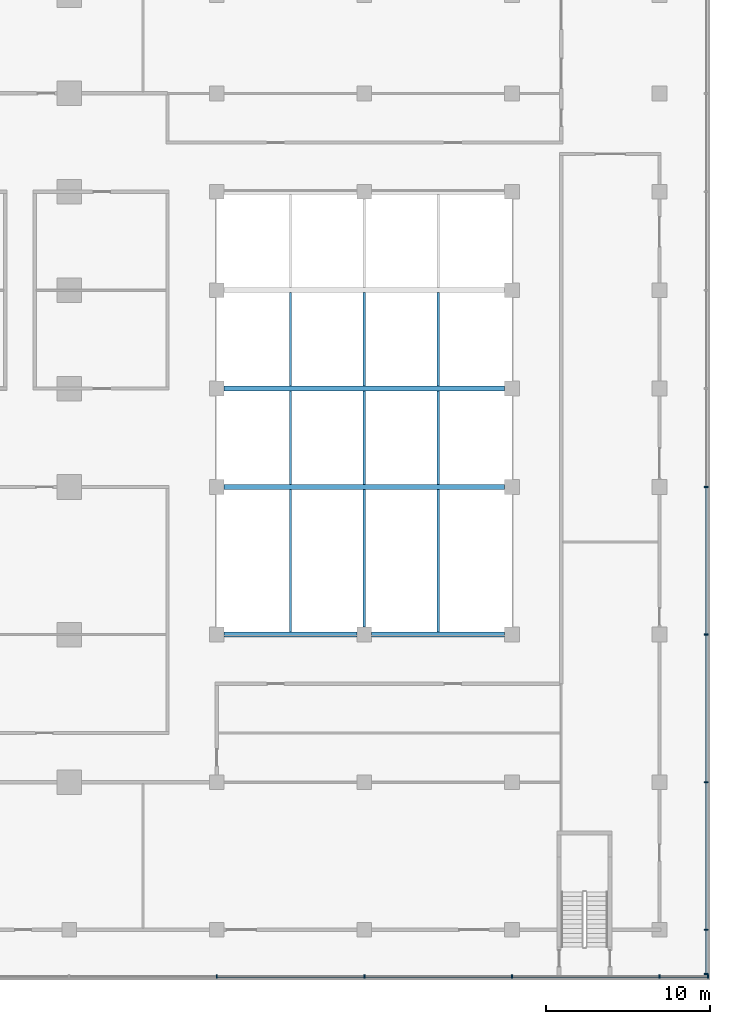
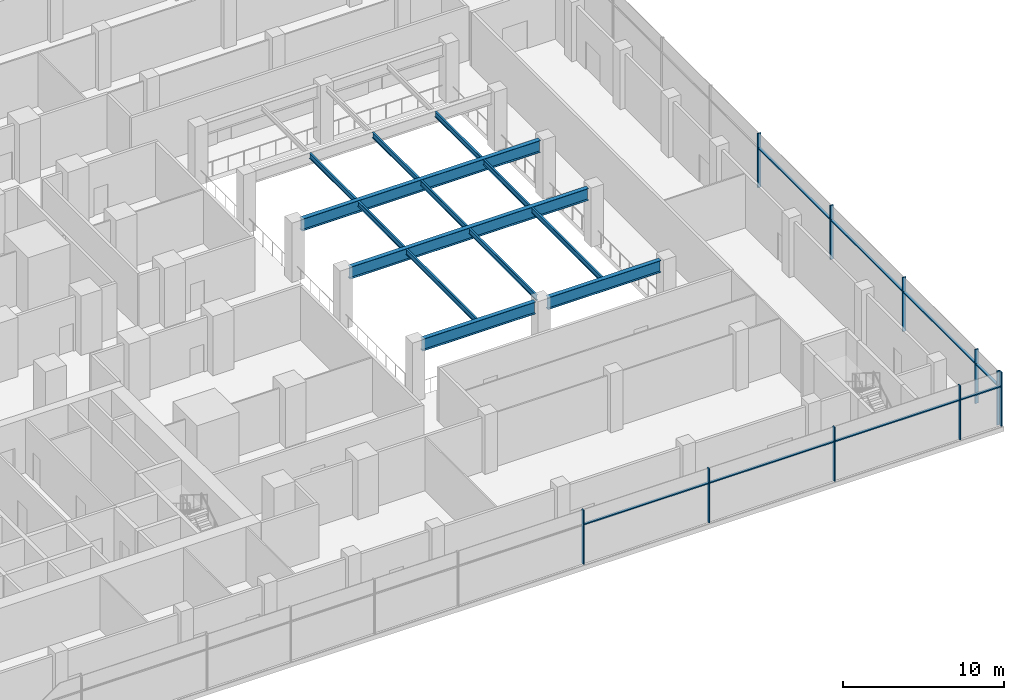
# One storey, part 5 of 22: 18 members, 13 beams, 2 elements without a shape of their own.
"""IFC4 building model written with IfcOpenShell, lengths in metres."""

from ifc_helpers import new_model, si_unit, direction, frame, origin, origin_2d, place, context, subcontext, project, spatial, rectangle, i_section, extrude, material, material_profile, profile_set, type_object, element, aggregate, save


model = new_model("IFC4")

# Units and contexts
model_context = context("Model", 3, precision=1e-05, world=origin(), true_north=direction((0.0, 1.0)))
body_context = subcontext(model_context, "Body", "Model", "MODEL_VIEW")
ifc_project = project(units=[si_unit("LENGTHUNIT", "METRE"), si_unit("AREAUNIT", "SQUARE_METRE"), si_unit("VOLUMEUNIT", "CUBIC_METRE"), si_unit("PLANEANGLEUNIT", "RADIAN"), si_unit("MASSUNIT", "GRAM", prefix="KILO")], contexts=[model_context])

# Site, building, storey
site_placement = place(None, origin())
site = spatial("IfcSite", under=ifc_project, at=site_placement, CompositionType="ELEMENT")
building_placement = place(site_placement, origin())
building = spatial("IfcBuilding", under=site, at=building_placement, Name="Finial Court Residences", CompositionType="ELEMENT")
storey_placement = place(building_placement, frame((0.0, 0.0, 28.0)))
storey = spatial("IfcBuildingStorey", under=building, at=storey_placement, Name="L05", CompositionType="ELEMENT", Elevation=28.0)

# Beams
ifc_material_1 = material(Name="Steel ASTM A992 Gr 50", Category="steel")
ifc_material_profile_1 = material_profile(ifc_material_1, i_section(OverallWidth=0.303955078125, OverallDepth=0.910888671875, WebThickness=0.015869140625, FlangeThickness=0.02392578125, at=origin_2d()), Name="W36x150")
ifc_profile_set_1 = profile_set([ifc_material_profile_1], Name="Steel ASTM A992 Gr 50")
beam_type_1 = type_object("IfcBeamType", Name="Atrium roof girder W36x150", PredefinedType="BEAM", material=ifc_profile_set_1)
for number, where, z_axis, x_axis, name in (
    (1, (31.949951171875, -13.5, 3.844482421875), (1.0, 0.0, 0.0), (0.0, 1.0, 0.0), "S:ATG:-13.5:1"),
    (2, (40.949951171875, -13.5, 3.844482421875), (1.0, 0.0, 0.0), (0.0, 1.0, 0.0), "S:ATG:-13.5:2"),
):
    element("IfcBeam", number, at=place(storey_placement, frame(where, z_axis=z_axis, x_axis=x_axis)), inside=storey, type_object=beam_type_1, Name=name, PredefinedType="BEAM", context=body_context, shape_type="SweptSolid", body=[
        extrude(i_section(OverallWidth=0.303955078125, OverallDepth=0.910888671875, WebThickness=0.015869140625, FlangeThickness=0.02392578125, at=origin_2d()), origin(), (0.0, 0.0, 1.0), 8.10009765625),
    ])
for number, where, z_axis, x_axis, name in (
    (3, (31.949951171875, -4.5, 3.844482421875), (1.0, 0.0, 0.0), (0.0, 1.0, 0.0), "S:ATG:-4.5:1"),
    (4, (31.949951171875, 1.5, 3.844482421875), (1.0, 0.0, 0.0), (0.0, 1.0, 0.0), "S:ATG:+1.5:1"),
):
    element("IfcBeam", number, at=place(storey_placement, frame(where, z_axis=z_axis, x_axis=x_axis)), inside=storey, type_object=beam_type_1, Name=name, PredefinedType="BEAM", context=body_context, shape_type="SweptSolid", body=[
        extrude(i_section(OverallWidth=0.303955078125, OverallDepth=0.910888671875, WebThickness=0.015869140625, FlangeThickness=0.02392578125, at=origin_2d()), origin(), (0.0, 0.0, 1.0), 17.10009765625),
    ])
ifc_material_profile_2 = material_profile(ifc_material_1, i_section(OverallWidth=0.139892578125, OverallDepth=0.403076171875, WebThickness=0.007080078125, FlangeThickness=0.01123046875, at=origin_2d()), Name="W16x31")
ifc_profile_set_2 = profile_set([ifc_material_profile_2], Name="Steel ASTM A992 Gr 50")
beam_type_2 = type_object("IfcBeamType", Name="Atrium roof joist W16x31", PredefinedType="JOIST", material=ifc_profile_set_2)
beam_1_placement = place(storey_placement, frame((36.0, -13.347900390625, 4.098388671875), z_axis=(0.0, 1.0, 0.0), x_axis=(-1.0, 0.0, 0.0)))
element("IfcBeam", 5, at=beam_1_placement, inside=storey, type_object=beam_type_2, Name="S:ATJ:+36.00:-13.5", PredefinedType="JOIST", context=body_context, shape_type="SweptSolid", body=[
    extrude(i_section(OverallWidth=0.139892578125, OverallDepth=0.403076171875, WebThickness=0.007080078125, FlangeThickness=0.01123046875, at=origin_2d()), origin(), (0.0, 0.0, 1.0), 8.69580078125),
])
for number, where, z_axis, x_axis, name in (
    (6, (36.0, -4.347900390625, 4.098388671875), (0.0, 1.0, 0.0), (-1.0, 0.0, 0.0), "S:ATJ:+36.00:-4.5"),
    (7, (36.0, 1.652099609375, 4.098388671875), (0.0, 1.0, 0.0), (-1.0, 0.0, 0.0), "S:ATJ:+36.00:+1.5"),
):
    element("IfcBeam", number, at=place(storey_placement, frame(where, z_axis=z_axis, x_axis=x_axis)), inside=storey, type_object=beam_type_2, Name=name, PredefinedType="JOIST", context=body_context, shape_type="SweptSolid", body=[
        extrude(i_section(OverallWidth=0.139892578125, OverallDepth=0.403076171875, WebThickness=0.007080078125, FlangeThickness=0.01123046875, at=origin_2d()), origin(), (0.0, 0.0, 1.0), 5.69580078125),
    ])
beam_2_placement = place(storey_placement, frame((40.5, -13.050048828125, 4.098388671875), z_axis=(0.0, 1.0, 0.0), x_axis=(-1.0, 0.0, 0.0)))
element("IfcBeam", 8, at=beam_2_placement, inside=storey, type_object=beam_type_2, Name="S:ATJ:+40.50:-13.5", PredefinedType="JOIST", context=body_context, shape_type="SweptSolid", body=[
    extrude(i_section(OverallWidth=0.139892578125, OverallDepth=0.403076171875, WebThickness=0.007080078125, FlangeThickness=0.01123046875, at=origin_2d()), origin(), (0.0, 0.0, 1.0), 8.39794921875),
])
for number, where, z_axis, x_axis, name in (
    (9, (40.5, -4.347900390625, 4.098388671875), (0.0, 1.0, 0.0), (-1.0, 0.0, 0.0), "S:ATJ:+40.50:-4.5"),
    (10, (40.5, 1.652099609375, 4.098388671875), (0.0, 1.0, 0.0), (-1.0, 0.0, 0.0), "S:ATJ:+40.50:+1.5"),
):
    element("IfcBeam", number, at=place(storey_placement, frame(where, z_axis=z_axis, x_axis=x_axis)), inside=storey, type_object=beam_type_2, Name=name, PredefinedType="JOIST", context=body_context, shape_type="SweptSolid", body=[
        extrude(i_section(OverallWidth=0.139892578125, OverallDepth=0.403076171875, WebThickness=0.007080078125, FlangeThickness=0.01123046875, at=origin_2d()), origin(), (0.0, 0.0, 1.0), 5.69580078125),
    ])
beam_3_placement = place(storey_placement, frame((45.0, -13.347900390625, 4.098388671875), z_axis=(0.0, 1.0, 0.0), x_axis=(-1.0, 0.0, 0.0)))
element("IfcBeam", 11, at=beam_3_placement, inside=storey, type_object=beam_type_2, Name="S:ATJ:+45.00:-13.5", PredefinedType="JOIST", context=body_context, shape_type="SweptSolid", body=[
    extrude(i_section(OverallWidth=0.139892578125, OverallDepth=0.403076171875, WebThickness=0.007080078125, FlangeThickness=0.01123046875, at=origin_2d()), origin(), (0.0, 0.0, 1.0), 8.69580078125),
])
for number, where, z_axis, x_axis, name in (
    (12, (45.0, -4.347900390625, 4.098388671875), (0.0, 1.0, 0.0), (-1.0, 0.0, 0.0), "S:ATJ:+45.00:-4.5"),
    (13, (45.0, 1.652099609375, 4.098388671875), (0.0, 1.0, 0.0), (-1.0, 0.0, 0.0), "S:ATJ:+45.00:+1.5"),
):
    element("IfcBeam", number, at=place(storey_placement, frame(where, z_axis=z_axis, x_axis=x_axis)), inside=storey, type_object=beam_type_2, Name=name, PredefinedType="JOIST", context=body_context, shape_type="SweptSolid", body=[
        extrude(i_section(OverallWidth=0.139892578125, OverallDepth=0.403076171875, WebThickness=0.007080078125, FlangeThickness=0.01123046875, at=origin_2d()), origin(), (0.0, 0.0, 1.0), 5.69580078125),
    ])

# Curtain wall, members
ifc_material_2 = material(Name="Bronze anodised aluminium", Category="aluminium")
curtain_wall_type = type_object("IfcCurtainWallType", Name="Podium curtain wall", PredefinedType="NOTDEFINED", material=ifc_material_2)
curtain_wall_1_placement = place(storey_placement, origin())
curtain_wall_1 = element("IfcCurtainWall", 14, at=curtain_wall_1_placement, inside=storey, type_object=curtain_wall_type, Name="E-L05-CW-E2", PredefinedType="NOTDEFINED")
ifc_material_profile_3 = material_profile(ifc_material_2, rectangle(XDim=0.22509765625, YDim=0.080078125, at=origin_2d()), Name="CW5 mullion 80 x 225")
ifc_profile_set_3 = profile_set([ifc_material_profile_3], Name="Bronze anodised aluminium")
member_type_1 = type_object("IfcMemberType", Name="CW5 mullion 80 x 225", PredefinedType="MULLION", material=ifc_profile_set_3)
member_1_placement = place(storey_placement, frame((61.35009765625, -34.197509765625, 0.0), z_axis=(0.0, 0.0, 1.0), x_axis=(-1.0, 0.0, 0.0)))
member_1 = element("IfcMember", 15, at=member_1_placement, type_object=member_type_1, Name="CW5 mullion 1", PredefinedType="MULLION", context=body_context, shape_type="SweptSolid", body=[
    extrude(rectangle(XDim=0.22509765625, YDim=0.080078125, at=origin_2d()), origin(), (0.0, 0.0, 1.0), 4.10009765625),
])
member_2_placement = place(storey_placement, frame((61.35009765625, -31.5, 0.0), z_axis=(0.0, 0.0, 1.0), x_axis=(-1.0, 0.0, 0.0)))
member_2 = element("IfcMember", 16, at=member_2_placement, type_object=member_type_1, Name="CW5 mullion 2", PredefinedType="MULLION", context=body_context, shape_type="SweptSolid", body=[
    extrude(rectangle(XDim=0.22509765625, YDim=0.080078125, at=origin_2d()), origin(), (0.0, 0.0, 1.0), 4.10009765625),
])
member_3_placement = place(storey_placement, frame((61.35009765625, -22.5, 0.0), z_axis=(0.0, 0.0, 1.0), x_axis=(-1.0, 0.0, 0.0)))
member_3 = element("IfcMember", 17, at=member_3_placement, type_object=member_type_1, Name="CW5 mullion 3", PredefinedType="MULLION", context=body_context, shape_type="SweptSolid", body=[
    extrude(rectangle(XDim=0.22509765625, YDim=0.080078125, at=origin_2d()), origin(), (0.0, 0.0, 1.0), 4.10009765625),
])
member_4_placement = place(storey_placement, frame((61.35009765625, -13.5, 0.0), z_axis=(0.0, 0.0, 1.0), x_axis=(-1.0, 0.0, 0.0)))
member_4 = element("IfcMember", 18, at=member_4_placement, type_object=member_type_1, Name="CW5 mullion 4", PredefinedType="MULLION", context=body_context, shape_type="SweptSolid", body=[
    extrude(rectangle(XDim=0.22509765625, YDim=0.080078125, at=origin_2d()), origin(), (0.0, 0.0, 1.0), 4.10009765625),
])
member_5_placement = place(storey_placement, frame((61.35009765625, -4.5, 0.0), z_axis=(0.0, 0.0, 1.0), x_axis=(-1.0, 0.0, 0.0)))
member_5 = element("IfcMember", 19, at=member_5_placement, type_object=member_type_1, Name="CW5 mullion 5", PredefinedType="MULLION", context=body_context, shape_type="SweptSolid", body=[
    extrude(rectangle(XDim=0.22509765625, YDim=0.080078125, at=origin_2d()), origin(), (0.0, 0.0, 1.0), 4.10009765625),
])

curtain_wall_2_placement = place(storey_placement, origin())
curtain_wall_2 = element("IfcCurtainWall", 20, at=curtain_wall_2_placement, inside=storey, type_object=curtain_wall_type, Name="E-L05-CW-S3", PredefinedType="NOTDEFINED")
member_6_placement = place(storey_placement, frame((31.5, -34.35009765625, 0.0), z_axis=(0.0, 0.0, 1.0), x_axis=(0.0, 1.0, 0.0)))
member_6 = element("IfcMember", 21, at=member_6_placement, type_object=member_type_1, Name="CW5 mullion 11", PredefinedType="MULLION", context=body_context, shape_type="SweptSolid", body=[
    extrude(rectangle(XDim=0.22509765625, YDim=0.080078125, at=origin_2d()), origin(), (0.0, 0.0, 1.0), 4.10009765625),
])
member_7_placement = place(storey_placement, frame((40.5, -34.35009765625, 0.0), z_axis=(0.0, 0.0, 1.0), x_axis=(0.0, 1.0, 0.0)))
member_7 = element("IfcMember", 22, at=member_7_placement, type_object=member_type_1, Name="CW5 mullion 12", PredefinedType="MULLION", context=body_context, shape_type="SweptSolid", body=[
    extrude(rectangle(XDim=0.22509765625, YDim=0.080078125, at=origin_2d()), origin(), (0.0, 0.0, 1.0), 4.10009765625),
])
member_8_placement = place(storey_placement, frame((49.5, -34.35009765625, 0.0), z_axis=(0.0, 0.0, 1.0), x_axis=(0.0, 1.0, 0.0)))
member_8 = element("IfcMember", 23, at=member_8_placement, type_object=member_type_1, Name="CW5 mullion 13", PredefinedType="MULLION", context=body_context, shape_type="SweptSolid", body=[
    extrude(rectangle(XDim=0.22509765625, YDim=0.080078125, at=origin_2d()), origin(), (0.0, 0.0, 1.0), 4.10009765625),
])
member_9_placement = place(storey_placement, frame((58.5, -34.35009765625, 0.0), z_axis=(0.0, 0.0, 1.0), x_axis=(0.0, 1.0, 0.0)))
member_9 = element("IfcMember", 24, at=member_9_placement, type_object=member_type_1, Name="CW5 mullion 14", PredefinedType="MULLION", context=body_context, shape_type="SweptSolid", body=[
    extrude(rectangle(XDim=0.22509765625, YDim=0.080078125, at=origin_2d()), origin(), (0.0, 0.0, 1.0), 4.10009765625),
])
member_10_placement = place(storey_placement, frame((61.4599609375, -34.35009765625, 0.0), z_axis=(0.0, 0.0, 1.0), x_axis=(0.0, 1.0, 0.0)))
member_10 = element("IfcMember", 25, at=member_10_placement, type_object=member_type_1, Name="CW5 mullion 15", PredefinedType="MULLION", context=body_context, shape_type="SweptSolid", body=[
    extrude(rectangle(XDim=0.22509765625, YDim=0.080078125, at=origin_2d()), origin(), (0.0, 0.0, 1.0), 4.10009765625),
])

# Member
ifc_material_profile_4 = material_profile(ifc_material_2, rectangle(XDim=0.175048828125, YDim=0.080078125, at=origin_2d()), Name="CW5 transom 80 x 175")
ifc_profile_set_4 = profile_set([ifc_material_profile_4], Name="Bronze anodised aluminium")
member_type_2 = type_object("IfcMemberType", Name="CW5 transom 80 x 175", PredefinedType="USERDEFINED", material=ifc_profile_set_4)
member_11_placement = place(storey_placement, frame((61.35009765625, -34.157470703125, 3.0), z_axis=(0.0, 1.0, 0.0), x_axis=(-1.0, 0.0, 0.0)))
member_11 = element("IfcMember", 26, at=member_11_placement, type_object=member_type_2, Name="CW5 transom 1.1", ObjectType="TRANSOM", PredefinedType="USERDEFINED", context=body_context, shape_type="SweptSolid", body=[
    extrude(rectangle(XDim=0.175048828125, YDim=0.080078125, at=origin_2d()), origin(), (0.0, 0.0, 1.0), 2.617431640625),
])

member_12_placement = place(storey_placement, frame((61.35009765625, -31.4599609375, 3.0), z_axis=(0.0, 1.0, 0.0), x_axis=(-1.0, 0.0, 0.0)))
member_12 = element("IfcMember", 27, at=member_12_placement, type_object=member_type_2, Name="CW5 transom 2.1", ObjectType="TRANSOM", PredefinedType="USERDEFINED", context=body_context, shape_type="SweptSolid", body=[
    extrude(rectangle(XDim=0.175048828125, YDim=0.080078125, at=origin_2d()), origin(), (0.0, 0.0, 1.0), 8.919921875),
])

member_13_placement = place(storey_placement, frame((61.35009765625, -22.4599609375, 3.0), z_axis=(0.0, 1.0, 0.0), x_axis=(-1.0, 0.0, 0.0)))
member_13 = element("IfcMember", 28, at=member_13_placement, type_object=member_type_2, Name="CW5 transom 3.1", ObjectType="TRANSOM", PredefinedType="USERDEFINED", context=body_context, shape_type="SweptSolid", body=[
    extrude(rectangle(XDim=0.175048828125, YDim=0.080078125, at=origin_2d()), origin(), (0.0, 0.0, 1.0), 8.919921875),
])

member_14_placement = place(storey_placement, frame((61.35009765625, -13.4599609375, 3.0), z_axis=(0.0, 1.0, 0.0), x_axis=(-1.0, 0.0, 0.0)))
member_14 = element("IfcMember", 29, at=member_14_placement, type_object=member_type_2, Name="CW5 transom 4.1", ObjectType="TRANSOM", PredefinedType="USERDEFINED", context=body_context, shape_type="SweptSolid", body=[
    extrude(rectangle(XDim=0.175048828125, YDim=0.080078125, at=origin_2d()), origin(), (0.0, 0.0, 1.0), 8.919921875),
])

aggregate(curtain_wall_1, [member_1, member_2, member_3, member_4, member_5, member_11, member_12, member_13, member_14])

member_15_placement = place(storey_placement, frame((31.5400390625, -34.35009765625, 3.0), z_axis=(1.0, 0.0, 0.0), x_axis=(0.0, 1.0, 0.0)))
member_15 = element("IfcMember", 30, at=member_15_placement, type_object=member_type_2, Name="CW5 transom 11.1", ObjectType="TRANSOM", PredefinedType="USERDEFINED", context=body_context, shape_type="SweptSolid", body=[
    extrude(rectangle(XDim=0.175048828125, YDim=0.080078125, at=origin_2d()), origin(), (0.0, 0.0, 1.0), 8.919921875),
])

member_16_placement = place(storey_placement, frame((40.5400390625, -34.35009765625, 3.0), z_axis=(1.0, 0.0, 0.0), x_axis=(0.0, 1.0, 0.0)))
member_16 = element("IfcMember", 31, at=member_16_placement, type_object=member_type_2, Name="CW5 transom 12.1", ObjectType="TRANSOM", PredefinedType="USERDEFINED", context=body_context, shape_type="SweptSolid", body=[
    extrude(rectangle(XDim=0.175048828125, YDim=0.080078125, at=origin_2d()), origin(), (0.0, 0.0, 1.0), 8.919921875),
])

member_17_placement = place(storey_placement, frame((49.5400390625, -34.35009765625, 3.0), z_axis=(1.0, 0.0, 0.0), x_axis=(0.0, 1.0, 0.0)))
member_17 = element("IfcMember", 32, at=member_17_placement, type_object=member_type_2, Name="CW5 transom 13.1", ObjectType="TRANSOM", PredefinedType="USERDEFINED", context=body_context, shape_type="SweptSolid", body=[
    extrude(rectangle(XDim=0.175048828125, YDim=0.080078125, at=origin_2d()), origin(), (0.0, 0.0, 1.0), 8.919921875),
])

member_18_placement = place(storey_placement, frame((58.5400390625, -34.35009765625, 3.0), z_axis=(1.0, 0.0, 0.0), x_axis=(0.0, 1.0, 0.0)))
member_18 = element("IfcMember", 33, at=member_18_placement, type_object=member_type_2, Name="CW5 transom 14.1", ObjectType="TRANSOM", PredefinedType="USERDEFINED", context=body_context, shape_type="SweptSolid", body=[
    extrude(rectangle(XDim=0.175048828125, YDim=0.080078125, at=origin_2d()), origin(), (0.0, 0.0, 1.0), 2.8798828125),
])

aggregate(curtain_wall_2, [member_6, member_7, member_8, member_9, member_10, member_15, member_16, member_17, member_18])

save(model, "model.ifc")
